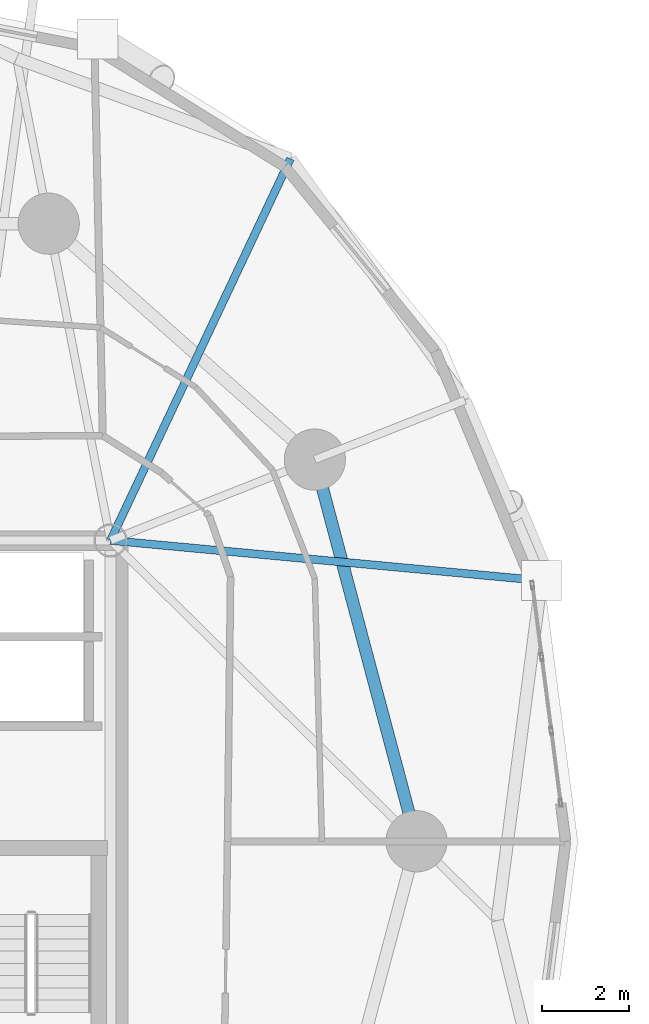
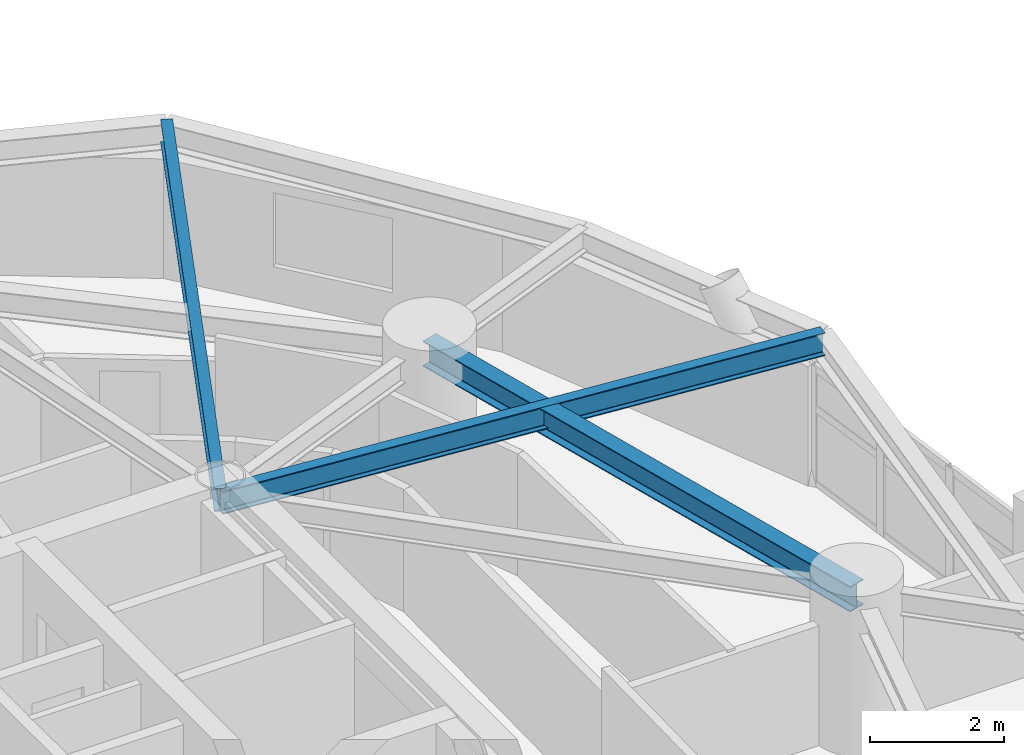
# One storey, part 3 of 18: 3 beams.
"""IFC4 building model written with IfcOpenShell, lengths in metres."""

import ifcopenshell
import ifcopenshell.guid

model = None  # the IFC model being written
_history = None  # IfcOwnerHistory: only IFC2X3 demands one
_inside = {}  # id of a spatial element -> (the spatial element, [elements in it])
_under = {}  # id of a project, library or spatial element -> (it, [spatial elements below it])
_declared = {}  # id of a project -> (the project, [libraries it declares])
_typed = {}  # id of a type object -> (the type object, [elements of that type])
_made_of = {}  # id of a material, layer set ... -> (it, [elements and type objects made of it])


def new_model(schema):
    """Start an empty IFC model of exactly this schema.

    Asked for "IFC4X3", IfcOpenShell would pick the latest addendum, in which some entities
    have other attributes; the version numbers below select the first issue.
    IFC2X3 requires an IfcOwnerHistory on every rooted entity: one is made here for all.
    """
    global model, _history
    if schema == "IFC4X3":
        model = ifcopenshell.file(schema_version=(4, 3, 0, 0))
    else:
        model = ifcopenshell.file(schema=schema)
    _inside.clear()
    _under.clear()
    _declared.clear()
    _typed.clear()
    _made_of.clear()
    _history = None
    if model.schema == "IFC2X3":
        org = make("IfcOrganization", Name="unknown")
        user = make(
            "IfcPersonAndOrganization",
            ThePerson=make("IfcPerson", FamilyName="unknown"),
            TheOrganization=org,
        )
        app = make(
            "IfcApplication",
            ApplicationDeveloper=org,
            Version="unknown",
            ApplicationFullName="unknown",
            ApplicationIdentifier="unknown",
        )
        _history = make(
            "IfcOwnerHistory",
            OwningUser=user,
            OwningApplication=app,
            ChangeAction="ADDED",
            CreationDate=0,
        )
    return model


def make(cls, **values):
    """One entity of the class cls with the attributes given. An attribute that is None is left unset."""
    return model.create_entity(
        cls, **{name: value for name, value in values.items() if value is not None}
    )


def rooted(cls, **values):
    """An entity with a GlobalId (a new one), such as an element, a storey or a relation."""
    return make(cls, GlobalId=ifcopenshell.guid.new(), OwnerHistory=_history, **values)


def si_unit(unit_type, name, prefix=None):
    """IfcSIUnit, for example si_unit("LENGTHUNIT", "METRE", prefix="MILLI")."""
    return make("IfcSIUnit", UnitType=unit_type, Prefix=prefix, Name=name)


def assignment(units):
    """IfcUnitAssignment: the units of a project."""
    return None if units is None else make("IfcUnitAssignment", Units=units)


def point(xyz):
    """IfcCartesianPoint."""
    return None if xyz is None else make("IfcCartesianPoint", Coordinates=xyz)


def direction(xyz):
    """IfcDirection."""
    return None if xyz is None else make("IfcDirection", DirectionRatios=xyz)


def frame(location, z_axis=None, x_axis=None):
    """IfcAxis2Placement3D, a coordinate frame: its origin and axes. An axis left out is left unset."""
    return make(
        "IfcAxis2Placement3D",
        Location=point(location),
        Axis=direction(z_axis),
        RefDirection=direction(x_axis),
    )


def frame_2d(location, x_axis=None):
    """IfcAxis2Placement2D, a coordinate frame in the plane: its origin and x axis."""
    return make(
        "IfcAxis2Placement2D", Location=point(location), RefDirection=direction(x_axis)
    )


def origin():
    """The frame at (0, 0, 0) with its axes left unset."""
    return frame((0.0, 0.0, 0.0))


def origin_2d():
    """The frame at (0, 0) in the plane with its x axis left unset."""
    return frame_2d((0.0, 0.0))


def place(relative_to, where):
    """IfcLocalPlacement: puts the frame where relative to a parent placement (None: the world)."""
    return make(
        "IfcLocalPlacement", PlacementRelTo=relative_to, RelativePlacement=where
    )


def context(
    kind, dimensions, precision=None, world=None, true_north=None, identifier=None
):
    """IfcGeometricRepresentationContext, for example the 3D "Model" context."""
    return make(
        "IfcGeometricRepresentationContext",
        ContextIdentifier=identifier,
        ContextType=kind,
        CoordinateSpaceDimension=dimensions,
        Precision=precision,
        WorldCoordinateSystem=world,
        TrueNorth=true_north,
    )


def subcontext(parent, identifier, kind, view, scale=None):
    """IfcGeometricRepresentationSubContext, for example "Body" below "Model"."""
    return make(
        "IfcGeometricRepresentationSubContext",
        ContextIdentifier=identifier,
        ContextType=kind,
        ParentContext=parent,
        TargetScale=scale,
        TargetView=view,
    )


def project(units=None, contexts=None):
    """IfcProject with its units and contexts."""
    return rooted(
        "IfcProject",
        Name="project",
        RepresentationContexts=contexts,
        UnitsInContext=assignment(units),
    )


def spatial(cls, under=None, at=None, **own):
    """A site, building, storey or space (cls), placed at a placement, below another one or the project."""
    s = rooted(cls, ObjectPlacement=at, **own)
    if under is not None:
        _under.setdefault(under.id(), (under, []))[1].append(s)
    return s


def profile(cls, at=None, kind="AREA", **sizes):
    """A parametric profile (cls). Its sizes go by their IFC names, for example OverallWidth=200.0."""
    return make(cls, ProfileType=kind, Position=at, **sizes)


def i_section(**sizes):
    """IfcIShapeProfileDef."""
    return profile("IfcIShapeProfileDef", **sizes)


def extrude(swept, where, along, depth):
    """IfcExtrudedAreaSolid: the profile swept, set in the frame where, extruded along a direction by depth."""
    return make(
        "IfcExtrudedAreaSolid",
        SweptArea=swept,
        Position=where,
        ExtrudedDirection=direction(along),
        Depth=depth,
    )


def shape(context_of_items, identifier, shape_type, items):
    """IfcShapeRepresentation: the items that make up one representation, for example the "Body"."""
    return make(
        "IfcShapeRepresentation",
        ContextOfItems=context_of_items,
        RepresentationIdentifier=identifier,
        RepresentationType=shape_type,
        Items=items,
    )


def material(Name=None, Category=None):
    """IfcMaterial."""
    return make("IfcMaterial", Name=Name, Category=Category)


def material_profile(
    of_material, cross_section, Name=None, Category=None, Priority=None
):
    """IfcMaterialProfile: a cross section and its material."""
    return make(
        "IfcMaterialProfile",
        Name=Name,
        Material=of_material,
        Profile=cross_section,
        Priority=Priority,
        Category=Category,
    )


def profile_set(profiles, Name=None, composite=None):
    """IfcMaterialProfileSet."""
    return make(
        "IfcMaterialProfileSet",
        Name=Name,
        MaterialProfiles=profiles,
        CompositeProfile=composite,
    )


def made_of(thing, what):
    """Note that an element or type object is made of a material, layer set ...; save() writes the relation."""
    if what is not None:
        _made_of.setdefault(what.id(), (what, []))[1].append(thing)
    return thing


def type_object(cls, material=None, **own):
    """A type object (cls), such as IfcWallType, which elements share."""
    return made_of(rooted(cls, **own), material)


def element(
    cls,
    number,
    at=None,
    inside=None,
    cuts=None,
    type_object=None,
    material=None,
    context=None,
    identifier="Body",
    shape_type=None,
    held_by="IfcProductDefinitionShape",
    body=None,
    shapes=None,
    **own,
):
    """One element of the class cls, such as IfcWall. Its Tag is "e" and its number.

    at: its placement. inside: the storey or other place that contains it. cuts: it is an
    opening in that element (IfcRelVoidsElement). A single representation is given by context,
    identifier, shape_type and body (its items); several are given by shapes. held_by: the class
    of the entity that holds the representations. save() writes the other relations.
    """
    e = rooted(cls, Tag="e%d" % number, ObjectPlacement=at, **own)
    if body is not None:
        shapes = [shape(context, identifier, shape_type, body)]
    if shapes is not None:
        e.Representation = make(held_by, Representations=shapes)
    if inside is not None:
        _inside.setdefault(inside.id(), (inside, []))[1].append(e)
    if cuts is not None:
        rooted(
            "IfcRelVoidsElement", RelatingBuildingElement=cuts, RelatedOpeningElement=e
        )
    if type_object is not None:
        _typed.setdefault(type_object.id(), (type_object, []))[1].append(e)
    return made_of(e, material)


def aggregate(whole, parts):
    """IfcRelAggregates: a whole, such as a stair, and the parts it consists of."""
    return rooted("IfcRelAggregates", RelatingObject=whole, RelatedObjects=parts)


def save(model, path):
    """Write the relations noted so far, then the file.

    IfcRelAggregates (storeys below a building ...), IfcRelContainedInSpatialStructure (elements
    in a storey), IfcRelDefinesByType, IfcRelAssociatesMaterial and IfcRelDeclares: one each for
    every whole, place, type object, material and project.
    """
    for whole, parts in _under.values():
        aggregate(whole, parts)
    for where, things in _inside.values():
        rooted(
            "IfcRelContainedInSpatialStructure",
            RelatedElements=things,
            RelatingStructure=where,
        )
    for kind, things in _typed.values():
        rooted("IfcRelDefinesByType", RelatedObjects=things, RelatingType=kind)
    for what, things in _made_of.values():
        rooted("IfcRelAssociatesMaterial", RelatedObjects=things, RelatingMaterial=what)
    for by, libraries in _declared.values():
        rooted("IfcRelDeclares", RelatingContext=by, RelatedDefinitions=libraries)
    model.write(path)


model = new_model("IFC4")

# Units and contexts
model_context = context("Model", 3, precision=1e-05, world=origin(), true_north=direction((0.0, 1.0)))
body_context = subcontext(model_context, "Body", "Model", "MODEL_VIEW")
ifc_project = project(units=[si_unit("LENGTHUNIT", "METRE"), si_unit("AREAUNIT", "SQUARE_METRE"), si_unit("VOLUMEUNIT", "CUBIC_METRE"), si_unit("PLANEANGLEUNIT", "RADIAN"), si_unit("MASSUNIT", "GRAM", prefix="KILO")], contexts=[model_context])

# Site, building, storey
site_placement = place(None, origin())
site = spatial("IfcSite", under=ifc_project, at=site_placement, CompositionType="ELEMENT")
building_placement = place(site_placement, origin())
building = spatial("IfcBuilding", under=site, at=building_placement, Name="Cununo Teusaquillo Station Towers", CompositionType="ELEMENT")
storey_placement = place(building_placement, frame((0.0, 0.0, 93.429931640625)))
storey = spatial("IfcBuildingStorey", under=building, at=storey_placement, Name="L29", CompositionType="ELEMENT", Elevation=93.429931640625)

# Beams
ifc_material_1 = material(Name="Steel ASTM A572 Grade 50", Category="steel")
ifc_material_profile_1 = material_profile(ifc_material_1, i_section(OverallWidth=0.180908203125, OverallDepth=0.4169921875, WebThickness=0.010986328125, FlangeThickness=0.018310546875, FilletRadius=0.012939453125, at=origin_2d()), Name="W16X57")
ifc_profile_set_1 = profile_set([ifc_material_profile_1], Name="Steel ASTM A572 Grade 50")
beam_type_1 = type_object("IfcBeamType", Name="BM-JOIST-1", PredefinedType="JOIST", material=ifc_profile_set_1)
beam_1_placement = place(storey_placement, frame((21.675048828125, 31.3798828125, 2.461669921875), z_axis=(0.995678537907, -0.09286683558, 0.0), x_axis=(0.09286683558, 0.995678537907, 0.0)))
element("IfcBeam", 1, at=beam_1_placement, inside=storey, type_object=beam_type_1, Name="L29 Tower A Radial Spandrel Joist V01", PredefinedType="JOIST", context=body_context, shape_type="SweptSolid", body=[
    extrude(i_section(OverallWidth=0.180908203125, OverallDepth=0.4169921875, WebThickness=0.010986328125, FlangeThickness=0.018310546875, FilletRadius=0.012939453125, at=origin_2d()), origin(), (0.0, 0.0, 1.0), 9.895263671875),
])
beam_2_placement = place(storey_placement, frame((21.675048828125, 31.3798828125, 2.461669921875), z_axis=(0.426319838016, 0.904572493344, 0.0), x_axis=(-0.904572493344, 0.426319838016, 0.0)))
element("IfcBeam", 2, at=beam_2_placement, inside=storey, type_object=beam_type_1, Name="L29 Tower A Radial Spandrel Joist V03", PredefinedType="JOIST", context=body_context, shape_type="SweptSolid", body=[
    extrude(i_section(OverallWidth=0.180908203125, OverallDepth=0.4169921875, WebThickness=0.010986328125, FlangeThickness=0.018310546875, FilletRadius=0.012939453125, at=origin_2d()), origin(), (0.0, 0.0, 1.0), 9.646728515625),
])
ifc_material_2 = material(Name="Steel ASTM A572 Grade 50", Category="steel")
ifc_material_profile_2 = material_profile(ifc_material_2, i_section(OverallWidth=0.280029296875, OverallDepth=0.462890625, WebThickness=0.0107421875, FlangeThickness=0.017333984375, FilletRadius=0.013916015625, at=origin_2d()), Name="W18X76")
ifc_profile_set_2 = profile_set([ifc_material_profile_2], Name="Steel ASTM A572 Grade 50")
beam_type_2 = type_object("IfcBeamType", Name="BM-RING-Z2", PredefinedType="SPANDREL", material=ifc_profile_set_2)
beam_3_placement = place(storey_placement, frame((28.672119140625, 24.5, 2.4384765625), z_axis=(-0.257363196347, 0.966314744359, 0.0), x_axis=(-0.966314744359, -0.257363196347, 0.0)))
element("IfcBeam", 3, at=beam_3_placement, inside=storey, type_object=beam_type_2, Name="L29 Tower A Structural Column Ring Girder 01", PredefinedType="SPANDREL", context=body_context, shape_type="SweptSolid", body=[
    extrude(i_section(OverallWidth=0.280029296875, OverallDepth=0.462890625, WebThickness=0.0107421875, FlangeThickness=0.017333984375, FilletRadius=0.013916015625, at=origin_2d()), origin(), (0.0, 0.0, 1.0), 9.03271484375),
])

save(model, "model.ifc")
